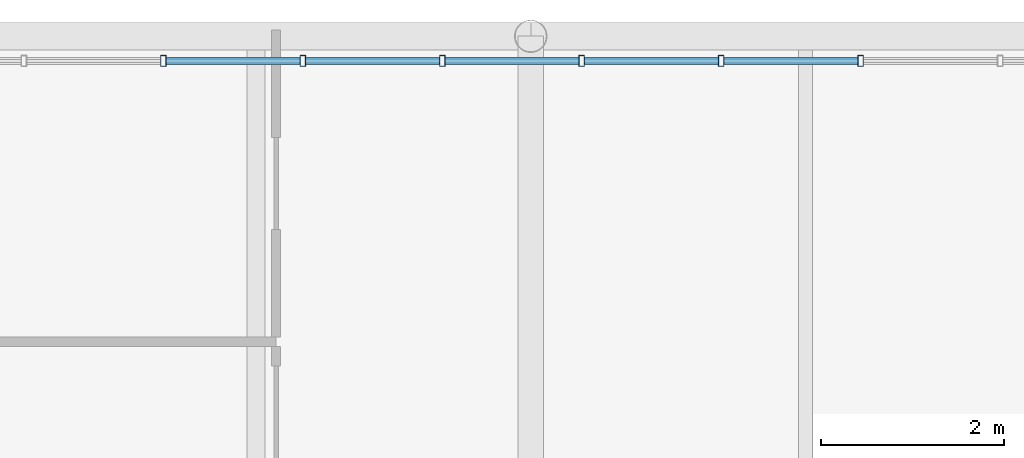
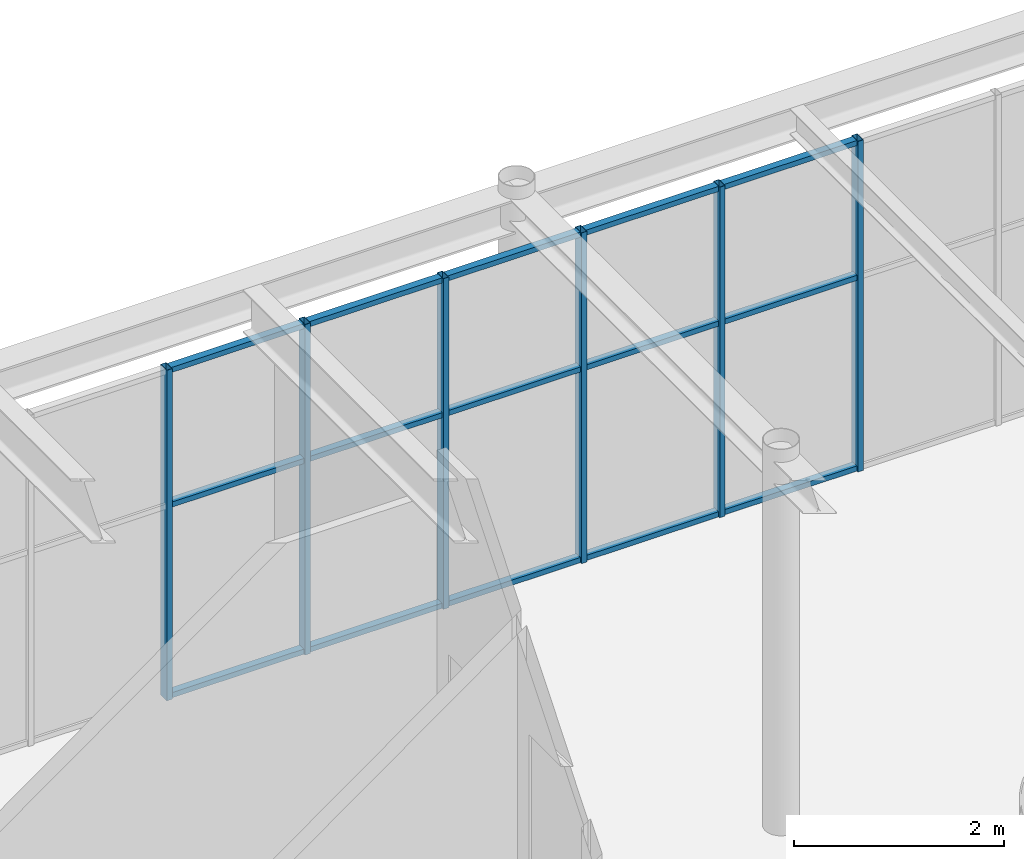
# One storey, part 46 of 111: 21 members, 1 element without a shape of its own.
"""IFC4 building model written with IfcOpenShell, lengths in metres."""

from ifc_helpers import new_model, si_unit, direction, frame, origin, origin_2d, place, context, subcontext, project, spatial, hollow_rectangle, extrude, material, layer, layer_set, material_profile, profile_set, type_object, element, aggregate, save


model = new_model("IFC4")

# Units and contexts
model_context = context("Model", 3, precision=1e-05, world=origin(), true_north=direction((0.0, 1.0)))
body_context = subcontext(model_context, "Body", "Model", "MODEL_VIEW")
ifc_project = project(units=[si_unit("LENGTHUNIT", "METRE"), si_unit("AREAUNIT", "SQUARE_METRE"), si_unit("VOLUMEUNIT", "CUBIC_METRE"), si_unit("PLANEANGLEUNIT", "RADIAN"), si_unit("MASSUNIT", "GRAM", prefix="KILO")], contexts=[model_context])

# Site, building, storey
site_placement = place(None, origin())
site = spatial("IfcSite", under=ifc_project, at=site_placement, CompositionType="ELEMENT")
building_placement = place(site_placement, origin())
building = spatial("IfcBuilding", under=site, at=building_placement, Name="Kallimachos Central Library", CompositionType="ELEMENT")
storey_placement = place(building_placement, frame((0.0, 0.0, 14.39990234375)))
storey = spatial("IfcBuildingStorey", under=building, at=storey_placement, Name="L03", CompositionType="ELEMENT", Elevation=14.39990234375)

# Curtain wall, members
ifc_material_1 = material(Name="Anodised aluminium and laminated glass", Category="aluminium")
ifc_layer = layer(ifc_material_1, 0.159912109375)
ifc_layer_set = layer_set([ifc_layer], Name="Glass box curtain wall")
curtain_wall_type = type_object("IfcCurtainWallType", Name="Glass box curtain wall", PredefinedType="NOTDEFINED", material=ifc_layer_set)
curtain_wall_placement = place(storey_placement, origin())
curtain_wall = element("IfcCurtainWall", 1, at=curtain_wall_placement, inside=storey, type_object=curtain_wall_type, Name="Glass box curtain wall N L03", PredefinedType="NOTDEFINED")
ifc_material_2 = material(Name="Anodised aluminium", Category="aluminium")
ifc_material_profile_1 = material_profile(ifc_material_2, hollow_rectangle(XDim=0.06005859375, YDim=0.1201171875, WallThickness=0.00390625, at=origin_2d()), Name="ALU MULLION 60x120")
ifc_profile_set_1 = profile_set([ifc_material_profile_1], Name="Anodised aluminium")
member_type_1 = type_object("IfcMemberType", Name="Glass box mullion 60x120", PredefinedType="MULLION", material=ifc_profile_set_1)
member_1_placement = place(storey_placement, frame((70.48828125, 121.3798828125, 0.0), z_axis=(0.0, 0.0, 1.0), x_axis=(1.0, 0.0, 0.0)))
member_1 = element("IfcMember", 2, at=member_1_placement, type_object=member_type_1, Name="CW27 mullion 4", PredefinedType="MULLION", context=body_context, shape_type="SweptSolid", body=[
    extrude(hollow_rectangle(XDim=0.06005859375, YDim=0.1201171875, WallThickness=0.00390625, at=origin_2d()), origin(), (0.0, 0.0, 1.0), 3.85009765625),
])
member_2_placement = place(storey_placement, frame((72.010986328125, 121.3798828125, 0.0), z_axis=(0.0, 0.0, 1.0), x_axis=(1.0, 0.0, 0.0)))
member_2 = element("IfcMember", 3, at=member_2_placement, type_object=member_type_1, Name="CW27 mullion 5", PredefinedType="MULLION", context=body_context, shape_type="SweptSolid", body=[
    extrude(hollow_rectangle(XDim=0.06005859375, YDim=0.1201171875, WallThickness=0.00390625, at=origin_2d()), origin(), (0.0, 0.0, 1.0), 3.85009765625),
])
member_3_placement = place(storey_placement, frame((73.53369140625, 121.3798828125, 0.0), z_axis=(0.0, 0.0, 1.0), x_axis=(1.0, 0.0, 0.0)))
member_3 = element("IfcMember", 4, at=member_3_placement, type_object=member_type_1, Name="CW27 mullion 6", PredefinedType="MULLION", context=body_context, shape_type="SweptSolid", body=[
    extrude(hollow_rectangle(XDim=0.06005859375, YDim=0.1201171875, WallThickness=0.00390625, at=origin_2d()), origin(), (0.0, 0.0, 1.0), 3.85009765625),
])
member_4_placement = place(storey_placement, frame((75.056640625, 121.3798828125, 0.0), z_axis=(0.0, 0.0, 1.0), x_axis=(1.0, 0.0, 0.0)))
member_4 = element("IfcMember", 5, at=member_4_placement, type_object=member_type_1, Name="CW27 mullion 7", PredefinedType="MULLION", context=body_context, shape_type="SweptSolid", body=[
    extrude(hollow_rectangle(XDim=0.06005859375, YDim=0.1201171875, WallThickness=0.00390625, at=origin_2d()), origin(), (0.0, 0.0, 1.0), 3.85009765625),
])
member_5_placement = place(storey_placement, frame((76.579345703125, 121.3798828125, 0.0), z_axis=(0.0, 0.0, 1.0), x_axis=(1.0, 0.0, 0.0)))
member_5 = element("IfcMember", 6, at=member_5_placement, type_object=member_type_1, Name="CW27 mullion 8", PredefinedType="MULLION", context=body_context, shape_type="SweptSolid", body=[
    extrude(hollow_rectangle(XDim=0.06005859375, YDim=0.1201171875, WallThickness=0.00390625, at=origin_2d()), origin(), (0.0, 0.0, 1.0), 3.85009765625),
])
member_6_placement = place(storey_placement, frame((78.10205078125, 121.3798828125, 0.0), z_axis=(0.0, 0.0, 1.0), x_axis=(1.0, 0.0, 0.0)))
member_6 = element("IfcMember", 7, at=member_6_placement, type_object=member_type_1, Name="CW27 mullion 9", PredefinedType="MULLION", context=body_context, shape_type="SweptSolid", body=[
    extrude(hollow_rectangle(XDim=0.06005859375, YDim=0.1201171875, WallThickness=0.00390625, at=origin_2d()), origin(), (0.0, 0.0, 1.0), 3.85009765625),
])
ifc_material_3 = material(Name="Anodised aluminium", Category="aluminium")
ifc_material_profile_2 = material_profile(ifc_material_3, hollow_rectangle(XDim=0.06005859375, YDim=0.080078125, WallThickness=0.00390625, at=origin_2d()), Name="ALU TRANSOM 60x80")
ifc_profile_set_2 = profile_set([ifc_material_profile_2], Name="Anodised aluminium")
member_type_2 = type_object("IfcMemberType", Name="Glass box transom 60x80", PredefinedType="USERDEFINED", material=ifc_profile_set_2)
member_7_placement = place(storey_placement, frame((70.518310546875, 121.3798828125, 0.030029296875), z_axis=(1.0, 0.0, 0.0), x_axis=(0.0, 0.0, 1.0)))
member_7 = element("IfcMember", 8, at=member_7_placement, type_object=member_type_2, Name="CW27 transom 4.1", ObjectType="TRANSOM", PredefinedType="USERDEFINED", context=body_context, shape_type="SweptSolid", body=[
    extrude(hollow_rectangle(XDim=0.06005859375, YDim=0.080078125, WallThickness=0.00390625, at=origin_2d()), origin(), (0.0, 0.0, 1.0), 1.462646484375),
])
member_8_placement = place(storey_placement, frame((70.518310546875, 121.3798828125, 2.25), z_axis=(1.0, 0.0, 0.0), x_axis=(0.0, 0.0, 1.0)))
member_8 = element("IfcMember", 9, at=member_8_placement, type_object=member_type_2, Name="CW27 transom 4.2", ObjectType="TRANSOM", PredefinedType="USERDEFINED", context=body_context, shape_type="SweptSolid", body=[
    extrude(hollow_rectangle(XDim=0.06005859375, YDim=0.080078125, WallThickness=0.00390625, at=origin_2d()), origin(), (0.0, 0.0, 1.0), 1.462646484375),
])
member_9_placement = place(storey_placement, frame((70.518310546875, 121.3798828125, 3.820068359375), z_axis=(1.0, 0.0, 0.0), x_axis=(0.0, 0.0, 1.0)))
member_9 = element("IfcMember", 10, at=member_9_placement, type_object=member_type_2, Name="CW27 transom 4.3", ObjectType="TRANSOM", PredefinedType="USERDEFINED", context=body_context, shape_type="SweptSolid", body=[
    extrude(hollow_rectangle(XDim=0.06005859375, YDim=0.080078125, WallThickness=0.00390625, at=origin_2d()), origin(), (0.0, 0.0, 1.0), 1.462646484375),
])
member_10_placement = place(storey_placement, frame((72.041015625, 121.3798828125, 0.030029296875), z_axis=(1.0, 0.0, 0.0), x_axis=(0.0, 0.0, 1.0)))
member_10 = element("IfcMember", 11, at=member_10_placement, type_object=member_type_2, Name="CW27 transom 5.1", ObjectType="TRANSOM", PredefinedType="USERDEFINED", context=body_context, shape_type="SweptSolid", body=[
    extrude(hollow_rectangle(XDim=0.06005859375, YDim=0.080078125, WallThickness=0.00390625, at=origin_2d()), origin(), (0.0, 0.0, 1.0), 1.462890625),
])
member_11_placement = place(storey_placement, frame((72.041015625, 121.3798828125, 2.25), z_axis=(1.0, 0.0, 0.0), x_axis=(0.0, 0.0, 1.0)))
member_11 = element("IfcMember", 12, at=member_11_placement, type_object=member_type_2, Name="CW27 transom 5.2", ObjectType="TRANSOM", PredefinedType="USERDEFINED", context=body_context, shape_type="SweptSolid", body=[
    extrude(hollow_rectangle(XDim=0.06005859375, YDim=0.080078125, WallThickness=0.00390625, at=origin_2d()), origin(), (0.0, 0.0, 1.0), 1.462890625),
])
member_12_placement = place(storey_placement, frame((72.041015625, 121.3798828125, 3.820068359375), z_axis=(1.0, 0.0, 0.0), x_axis=(0.0, 0.0, 1.0)))
member_12 = element("IfcMember", 13, at=member_12_placement, type_object=member_type_2, Name="CW27 transom 5.3", ObjectType="TRANSOM", PredefinedType="USERDEFINED", context=body_context, shape_type="SweptSolid", body=[
    extrude(hollow_rectangle(XDim=0.06005859375, YDim=0.080078125, WallThickness=0.00390625, at=origin_2d()), origin(), (0.0, 0.0, 1.0), 1.462890625),
])
member_13_placement = place(storey_placement, frame((73.563720703125, 121.3798828125, 0.030029296875), z_axis=(1.0, 0.0, 0.0), x_axis=(0.0, 0.0, 1.0)))
member_13 = element("IfcMember", 14, at=member_13_placement, type_object=member_type_2, Name="CW27 transom 6.1", ObjectType="TRANSOM", PredefinedType="USERDEFINED", context=body_context, shape_type="SweptSolid", body=[
    extrude(hollow_rectangle(XDim=0.06005859375, YDim=0.080078125, WallThickness=0.00390625, at=origin_2d()), origin(), (0.0, 0.0, 1.0), 1.462890625),
])
member_14_placement = place(storey_placement, frame((73.563720703125, 121.3798828125, 2.25), z_axis=(1.0, 0.0, 0.0), x_axis=(0.0, 0.0, 1.0)))
member_14 = element("IfcMember", 15, at=member_14_placement, type_object=member_type_2, Name="CW27 transom 6.2", ObjectType="TRANSOM", PredefinedType="USERDEFINED", context=body_context, shape_type="SweptSolid", body=[
    extrude(hollow_rectangle(XDim=0.06005859375, YDim=0.080078125, WallThickness=0.00390625, at=origin_2d()), origin(), (0.0, 0.0, 1.0), 1.462890625),
])
member_15_placement = place(storey_placement, frame((73.563720703125, 121.3798828125, 3.820068359375), z_axis=(1.0, 0.0, 0.0), x_axis=(0.0, 0.0, 1.0)))
member_15 = element("IfcMember", 16, at=member_15_placement, type_object=member_type_2, Name="CW27 transom 6.3", ObjectType="TRANSOM", PredefinedType="USERDEFINED", context=body_context, shape_type="SweptSolid", body=[
    extrude(hollow_rectangle(XDim=0.06005859375, YDim=0.080078125, WallThickness=0.00390625, at=origin_2d()), origin(), (0.0, 0.0, 1.0), 1.462890625),
])
member_16_placement = place(storey_placement, frame((75.086669921875, 121.3798828125, 0.030029296875), z_axis=(1.0, 0.0, 0.0), x_axis=(0.0, 0.0, 1.0)))
member_16 = element("IfcMember", 17, at=member_16_placement, type_object=member_type_2, Name="CW27 transom 7.1", ObjectType="TRANSOM", PredefinedType="USERDEFINED", context=body_context, shape_type="SweptSolid", body=[
    extrude(hollow_rectangle(XDim=0.06005859375, YDim=0.080078125, WallThickness=0.00390625, at=origin_2d()), origin(), (0.0, 0.0, 1.0), 1.462646484375),
])
member_17_placement = place(storey_placement, frame((75.086669921875, 121.3798828125, 2.25), z_axis=(1.0, 0.0, 0.0), x_axis=(0.0, 0.0, 1.0)))
member_17 = element("IfcMember", 18, at=member_17_placement, type_object=member_type_2, Name="CW27 transom 7.2", ObjectType="TRANSOM", PredefinedType="USERDEFINED", context=body_context, shape_type="SweptSolid", body=[
    extrude(hollow_rectangle(XDim=0.06005859375, YDim=0.080078125, WallThickness=0.00390625, at=origin_2d()), origin(), (0.0, 0.0, 1.0), 1.462646484375),
])
member_18_placement = place(storey_placement, frame((75.086669921875, 121.3798828125, 3.820068359375), z_axis=(1.0, 0.0, 0.0), x_axis=(0.0, 0.0, 1.0)))
member_18 = element("IfcMember", 19, at=member_18_placement, type_object=member_type_2, Name="CW27 transom 7.3", ObjectType="TRANSOM", PredefinedType="USERDEFINED", context=body_context, shape_type="SweptSolid", body=[
    extrude(hollow_rectangle(XDim=0.06005859375, YDim=0.080078125, WallThickness=0.00390625, at=origin_2d()), origin(), (0.0, 0.0, 1.0), 1.462646484375),
])
member_19_placement = place(storey_placement, frame((76.609375, 121.3798828125, 0.030029296875), z_axis=(1.0, 0.0, 0.0), x_axis=(0.0, 0.0, 1.0)))
member_19 = element("IfcMember", 20, at=member_19_placement, type_object=member_type_2, Name="CW27 transom 8.1", ObjectType="TRANSOM", PredefinedType="USERDEFINED", context=body_context, shape_type="SweptSolid", body=[
    extrude(hollow_rectangle(XDim=0.06005859375, YDim=0.080078125, WallThickness=0.00390625, at=origin_2d()), origin(), (0.0, 0.0, 1.0), 1.462646484375),
])
member_20_placement = place(storey_placement, frame((76.609375, 121.3798828125, 2.25), z_axis=(1.0, 0.0, 0.0), x_axis=(0.0, 0.0, 1.0)))
member_20 = element("IfcMember", 21, at=member_20_placement, type_object=member_type_2, Name="CW27 transom 8.2", ObjectType="TRANSOM", PredefinedType="USERDEFINED", context=body_context, shape_type="SweptSolid", body=[
    extrude(hollow_rectangle(XDim=0.06005859375, YDim=0.080078125, WallThickness=0.00390625, at=origin_2d()), origin(), (0.0, 0.0, 1.0), 1.462646484375),
])
member_21_placement = place(storey_placement, frame((76.609375, 121.3798828125, 3.820068359375), z_axis=(1.0, 0.0, 0.0), x_axis=(0.0, 0.0, 1.0)))
member_21 = element("IfcMember", 22, at=member_21_placement, type_object=member_type_2, Name="CW27 transom 8.3", ObjectType="TRANSOM", PredefinedType="USERDEFINED", context=body_context, shape_type="SweptSolid", body=[
    extrude(hollow_rectangle(XDim=0.06005859375, YDim=0.080078125, WallThickness=0.00390625, at=origin_2d()), origin(), (0.0, 0.0, 1.0), 1.462646484375),
])
aggregate(curtain_wall, [member_1, member_2, member_3, member_4, member_5, member_6, member_7, member_8, member_9, member_10, member_11, member_12, member_13, member_14, member_15, member_16, member_17, member_18, member_19, member_20, member_21])

save(model, "model.ifc")
